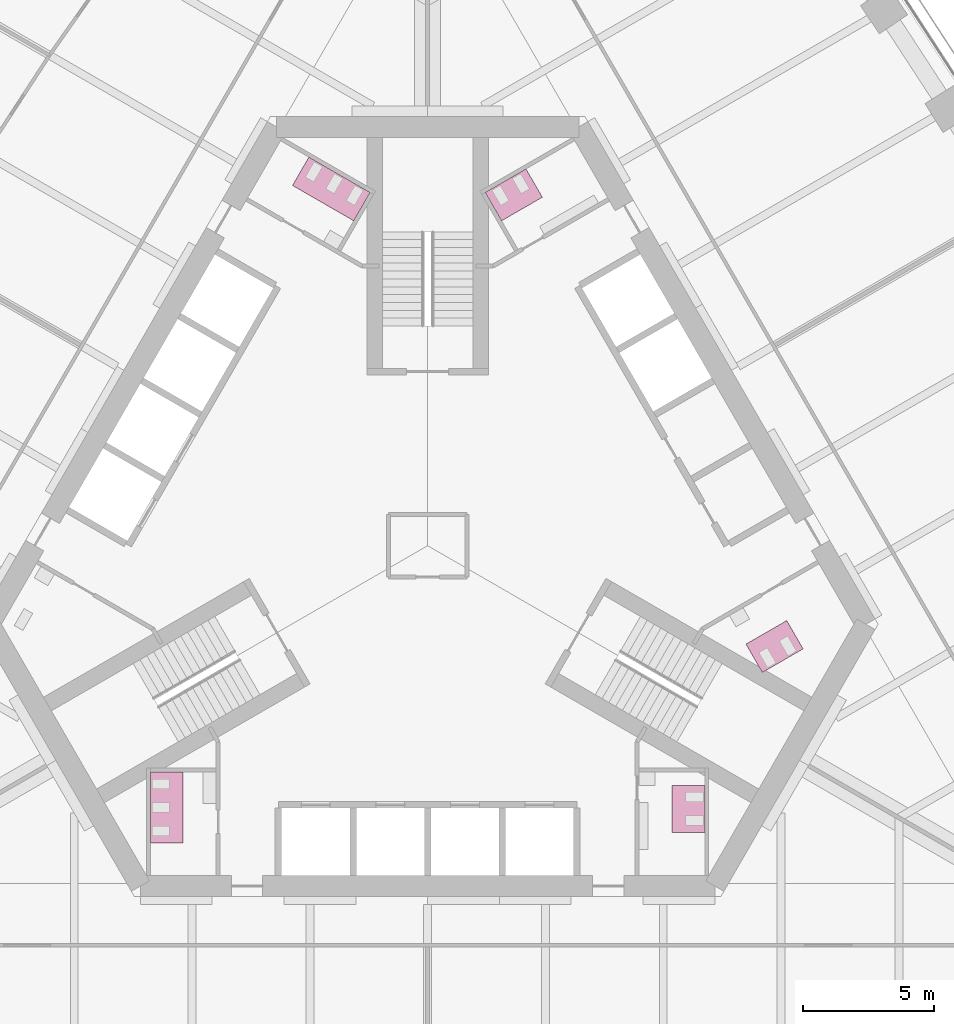
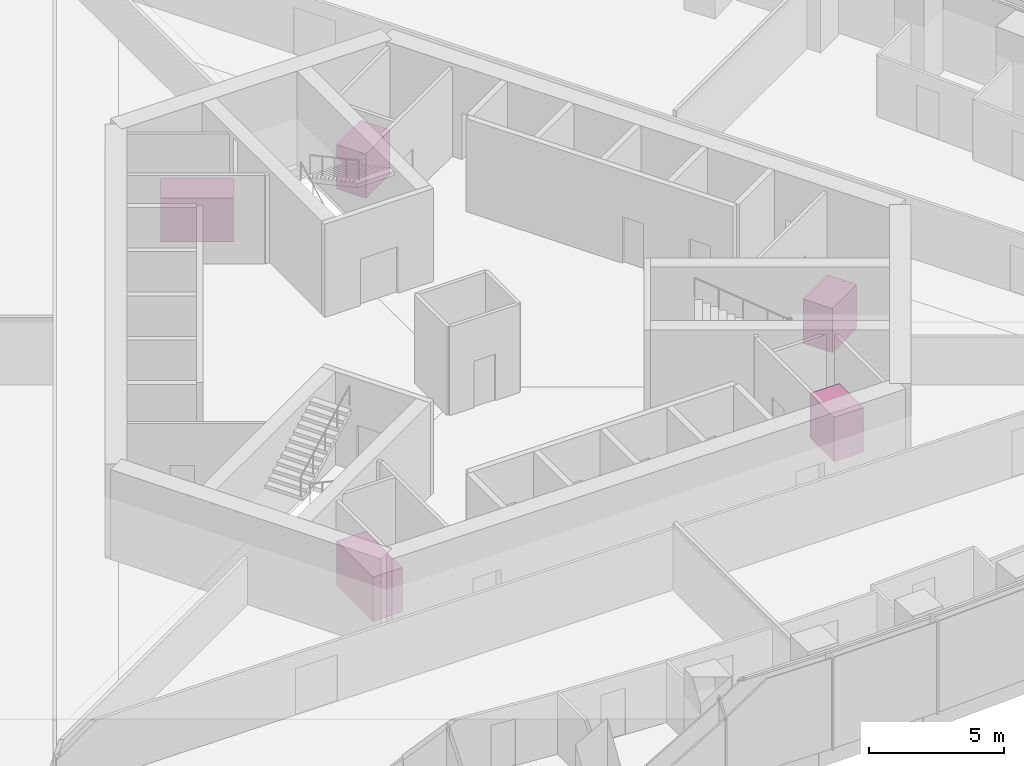
# One storey, part 19 of 19: 5 furniture elements.
"""IFC4 building model written with IfcOpenShell, lengths in metres."""

from ifc_helpers import new_model, si_unit, direction, frame, origin, place, context, subcontext, project, spatial, polyline, outline, extrude, material, type_object, element, save


model = new_model("IFC4")

# Units and contexts
model_context = context("Model", 3, precision=1e-05, world=origin(), true_north=direction((0.0, 1.0)))
body_context = subcontext(model_context, "Body", "Model", "MODEL_VIEW")
ifc_project = project(units=[si_unit("LENGTHUNIT", "METRE"), si_unit("AREAUNIT", "SQUARE_METRE"), si_unit("VOLUMEUNIT", "CUBIC_METRE"), si_unit("PLANEANGLEUNIT", "RADIAN"), si_unit("MASSUNIT", "GRAM", prefix="KILO")], contexts=[model_context])

# Site, building, storey
site_placement = place(None, origin())
site = spatial("IfcSite", under=ifc_project, at=site_placement, CompositionType="ELEMENT")
building_placement = place(site_placement, origin())
building = spatial("IfcBuilding", under=site, at=building_placement, Name="Trefoil Bronze Tower", CompositionType="ELEMENT")
storey_placement = place(building_placement, frame((0.0, 0.0, 128.300048828125)))
storey = spatial("IfcBuildingStorey", under=building, at=storey_placement, Name="L29", CompositionType="ELEMENT", Elevation=128.300048828125)

# Furniture
ifc_material_1 = material(Name="Compact laminate cubicles", Category="plastic")
furniture_type_1 = type_object("IfcFurnitureType", Name="WC cubicle range 2 cubicles", AssemblyPlace="FACTORY", PredefinedType="USERDEFINED", material=ifc_material_1)
furniture_1_placement = place(storey_placement, origin())
element("IfcFurniture", 1, at=furniture_1_placement, inside=storey, type_object=furniture_type_1, Name="WC cubicle range WC (men) L29", ObjectType="WC cubicle range", PredefinedType="USERDEFINED", context=body_context, shape_type="SweptSolid", body=[
    extrude(outline(polyline([(9.3349609375, -9.14990234375), (10.5849609375, -9.14990234375), (10.5849609375, -10.949951171875), (9.3349609375, -10.949951171875), (9.3349609375, -9.14990234375)])), origin(), (0.0, 0.0, 1.0), 2.0),
])
furniture_2_placement = place(storey_placement, origin())
element("IfcFurniture", 2, at=furniture_2_placement, inside=storey, type_object=furniture_type_1, Name="WC cubicle range WC (women) L29", ObjectType="WC cubicle range", PredefinedType="USERDEFINED", context=body_context, shape_type="SweptSolid", body=[
    extrude(outline(polyline([(12.15869140625, -3.75927734375), (12.78369140625, -4.841796875), (14.342529296875, -3.94189453125), (13.717529296875, -2.859375), (12.15869140625, -3.75927734375)])), origin(), (0.0, 0.0, 1.0), 2.0),
])
furniture_3_placement = place(storey_placement, origin())
element("IfcFurniture", 3, at=furniture_3_placement, inside=storey, type_object=furniture_type_1, Name="WC cubicle range WC (men) L29", ObjectType="WC cubicle range", PredefinedType="USERDEFINED", context=body_context, shape_type="SweptSolid", body=[
    extrude(outline(polyline([(2.82373046875, 12.409423828125), (2.19873046875, 13.491943359375), (3.757568359375, 14.391845703125), (4.382568359375, 13.309326171875), (2.82373046875, 12.409423828125)])), origin(), (0.0, 0.0, 1.0), 2.0),
])
ifc_material_2 = material(Name="Compact laminate cubicles", Category="plastic")
furniture_type_2 = type_object("IfcFurnitureType", Name="WC cubicle range 3 cubicles", AssemblyPlace="FACTORY", PredefinedType="USERDEFINED", material=ifc_material_2)
furniture_4_placement = place(storey_placement, origin())
element("IfcFurniture", 4, at=furniture_4_placement, inside=storey, type_object=furniture_type_2, Name="WC cubicle range WC (women) L29", ObjectType="WC cubicle range", PredefinedType="USERDEFINED", context=body_context, shape_type="SweptSolid", body=[
    extrude(outline(polyline([(-2.82373046875, 12.409423828125), (-2.19873046875, 13.491943359375), (-4.536865234375, 14.841796875), (-5.161865234375, 13.75927734375), (-2.82373046875, 12.409423828125)])), origin(), (0.0, 0.0, 1.0), 2.0),
])
furniture_5_placement = place(storey_placement, origin())
element("IfcFurniture", 5, at=furniture_5_placement, inside=storey, type_object=furniture_type_2, Name="WC cubicle range WC (women) L29", ObjectType="WC cubicle range", PredefinedType="USERDEFINED", context=body_context, shape_type="SweptSolid", body=[
    extrude(outline(polyline([(-9.3349609375, -8.64990234375), (-10.5849609375, -8.64990234375), (-10.5849609375, -11.35009765625), (-9.3349609375, -11.35009765625), (-9.3349609375, -8.64990234375)])), origin(), (0.0, 0.0, 1.0), 2.0),
])

save(model, "model.ifc")
